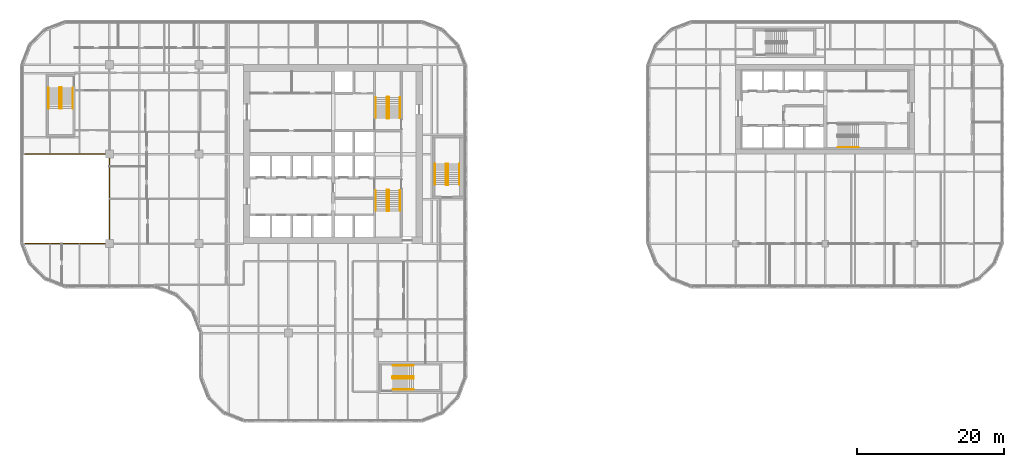
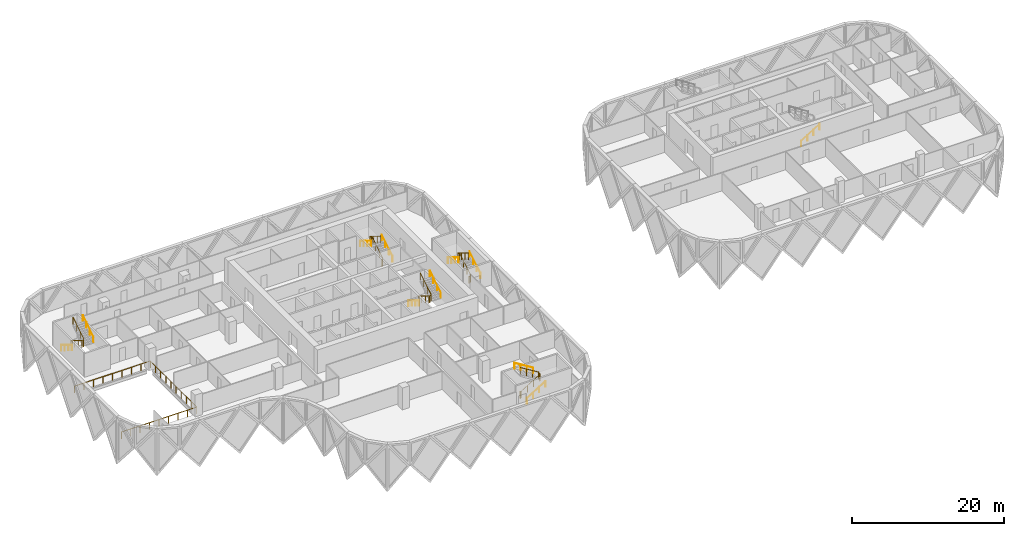
# One storey, part 23 of 24: 17 railings.
"""IFC4 building model written with IfcOpenShell, lengths in metres."""

from ifc_helpers import new_model, si_unit, direction, frame, origin, origin_2d, place, context, subcontext, project, spatial, circle, extrude, material, type_object, element, save


model = new_model("IFC4")

# Units and contexts
model_context = context("Model", 3, precision=1e-05, world=origin(), true_north=direction((0.0, 1.0)))
body_context = subcontext(model_context, "Body", "Model", "MODEL_VIEW")
ifc_project = project(units=[si_unit("LENGTHUNIT", "METRE"), si_unit("AREAUNIT", "SQUARE_METRE"), si_unit("VOLUMEUNIT", "CUBIC_METRE"), si_unit("PLANEANGLEUNIT", "RADIAN"), si_unit("MASSUNIT", "GRAM", prefix="KILO")], contexts=[model_context])

# Site, building, storey
site_placement = place(None, origin())
site = spatial("IfcSite", under=ifc_project, at=site_placement, CompositionType="ELEMENT")
building_placement = place(site_placement, origin())
building = spatial("IfcBuilding", under=site, at=building_placement, Name="Tessera Gate Towers", CompositionType="ELEMENT")
storey_placement = place(building_placement, frame((0.0, 0.0, 60.0)))
storey = spatial("IfcBuildingStorey", under=building, at=storey_placement, Name="L14", CompositionType="ELEMENT", Elevation=60.0)

# Railings
ifc_material_1 = material(Name="Toughened glass with stainless steel handrail", Category="steel")
railing_type_1 = type_object("IfcRailingType", Name="GUARD 1100 GLASS BALUSTRADE", PredefinedType="GUARDRAIL", material=ifc_material_1)
railing_1_placement = place(storey_placement, frame((0.750244140625, 24.39990234375, 0.0)))
element("IfcRailing", 1, at=railing_1_placement, inside=storey, type_object=railing_type_1, Name="Guard", PredefinedType="GUARDRAIL", context=body_context, shape_type="SweptSolid", body=[
    extrude(circle(Radius=0.02490234375, at=origin_2d()), frame((0.0, 0.0, 1.0751953125), z_axis=(1.0, 0.0, 0.0), x_axis=(0.0, 1.0, 0.0)), (0.0, 0.0, 1.0), 11.44970703125),
    extrude(circle(Radius=0.02490234375, at=origin_2d()), frame((11.44970703125, 0.0, 1.0751953125), z_axis=(0.0, 1.0, 0.0), x_axis=(-1.0, 0.0, 0.0)), (0.0, 0.0, 1.0), 12.2001953125),
    extrude(circle(Radius=0.02490234375, at=origin_2d()), frame((11.44970703125, 12.2001953125, 1.0751953125), z_axis=(-1.0, 0.0, 0.0), x_axis=(0.0, -1.0, 0.0)), (0.0, 0.0, 1.0), 11.5),
    extrude(circle(Radius=0.02490234375, at=origin_2d()), origin(), (0.0, 0.0, 1.0), 1.050048828125),
    extrude(circle(Radius=0.02490234375, at=origin_2d()), frame((1.43115234375, 0.0, 0.0)), (0.0, 0.0, 1.0), 1.050048828125),
    extrude(circle(Radius=0.02490234375, at=origin_2d()), frame((2.8623046875, 0.0, 0.0)), (0.0, 0.0, 1.0), 1.050048828125),
    extrude(circle(Radius=0.02490234375, at=origin_2d()), frame((4.293701171875, 0.0, 0.0)), (0.0, 0.0, 1.0), 1.050048828125),
    extrude(circle(Radius=0.02490234375, at=origin_2d()), frame((5.724853515625, 0.0, 0.0)), (0.0, 0.0, 1.0), 1.050048828125),
    extrude(circle(Radius=0.02490234375, at=origin_2d()), frame((7.156005859375, 0.0, 0.0)), (0.0, 0.0, 1.0), 1.050048828125),
    extrude(circle(Radius=0.02490234375, at=origin_2d()), frame((8.58740234375, 0.0, 0.0)), (0.0, 0.0, 1.0), 1.050048828125),
    extrude(circle(Radius=0.02490234375, at=origin_2d()), frame((10.0185546875, 0.0, 0.0)), (0.0, 0.0, 1.0), 1.050048828125),
    extrude(circle(Radius=0.02490234375, at=origin_2d()), frame((11.44970703125, 0.0, 0.0)), (0.0, 0.0, 1.0), 1.050048828125),
    extrude(circle(Radius=0.02490234375, at=origin_2d()), frame((11.44970703125, 1.35546875, 0.0)), (0.0, 0.0, 1.0), 1.050048828125),
    extrude(circle(Radius=0.02490234375, at=origin_2d()), frame((11.44970703125, 2.711181640625, 0.0)), (0.0, 0.0, 1.0), 1.050048828125),
    extrude(circle(Radius=0.02490234375, at=origin_2d()), frame((11.44970703125, 4.066650390625, 0.0)), (0.0, 0.0, 1.0), 1.050048828125),
    extrude(circle(Radius=0.02490234375, at=origin_2d()), frame((11.44970703125, 5.42236328125, 0.0)), (0.0, 0.0, 1.0), 1.050048828125),
    extrude(circle(Radius=0.02490234375, at=origin_2d()), frame((11.44970703125, 6.77783203125, 0.0)), (0.0, 0.0, 1.0), 1.050048828125),
    extrude(circle(Radius=0.02490234375, at=origin_2d()), frame((11.44970703125, 8.133544921875, 0.0)), (0.0, 0.0, 1.0), 1.050048828125),
    extrude(circle(Radius=0.02490234375, at=origin_2d()), frame((11.44970703125, 9.489013671875, 0.0)), (0.0, 0.0, 1.0), 1.050048828125),
    extrude(circle(Radius=0.02490234375, at=origin_2d()), frame((11.44970703125, 10.8447265625, 0.0)), (0.0, 0.0, 1.0), 1.050048828125),
    extrude(circle(Radius=0.02490234375, at=origin_2d()), frame((11.44970703125, 12.2001953125, 0.0)), (0.0, 0.0, 1.0), 1.050048828125),
    extrude(circle(Radius=0.02490234375, at=origin_2d()), frame((10.01220703125, 12.2001953125, 0.0)), (0.0, 0.0, 1.0), 1.050048828125),
    extrude(circle(Radius=0.02490234375, at=origin_2d()), frame((8.57470703125, 12.2001953125, 0.0)), (0.0, 0.0, 1.0), 1.050048828125),
    extrude(circle(Radius=0.02490234375, at=origin_2d()), frame((7.13720703125, 12.2001953125, 0.0)), (0.0, 0.0, 1.0), 1.050048828125),
    extrude(circle(Radius=0.02490234375, at=origin_2d()), frame((5.69970703125, 12.2001953125, 0.0)), (0.0, 0.0, 1.0), 1.050048828125),
    extrude(circle(Radius=0.02490234375, at=origin_2d()), frame((4.26220703125, 12.2001953125, 0.0)), (0.0, 0.0, 1.0), 1.050048828125),
    extrude(circle(Radius=0.02490234375, at=origin_2d()), frame((2.82470703125, 12.2001953125, 0.0)), (0.0, 0.0, 1.0), 1.050048828125),
    extrude(circle(Radius=0.02490234375, at=origin_2d()), frame((1.38720703125, 12.2001953125, 0.0)), (0.0, 0.0, 1.0), 1.050048828125),
    extrude(circle(Radius=0.02490234375, at=origin_2d()), frame((-0.05029296875, 12.2001953125, 0.0)), (0.0, 0.0, 1.0), 1.050048828125),
])
ifc_material_2 = material(Name="Steel 350W", Category="steel")
railing_type_2 = type_object("IfcRailingType", Name="STAIR GUARD 1100", PredefinedType="GUARDRAIL", material=ifc_material_2)
railing_2_placement = place(storey_placement, frame((50.27490234375, 31.72509765625, 0.0)))
element("IfcRailing", 2, at=railing_2_placement, inside=storey, type_object=railing_type_2, Name="L14 ST1 stair guard 1", PredefinedType="GUARDRAIL", context=body_context, shape_type="SweptSolid", body=[
    extrude(circle(Radius=0.02392578125, at=origin_2d()), frame((0.0, 0.0, 1.076171875), z_axis=(-1.0, 0.0, 0.0), x_axis=(0.0, -1.0, 0.0)), (0.0, 0.0, 1.0), 0.199951171875),
    extrude(circle(Radius=0.02392578125, at=origin_2d()), frame((-0.199951171875, 0.0, 1.076171875), z_axis=(-0.268277960024, -0.268277960024, 0.925231793839), x_axis=(0.707106781187, -0.707106781187, 0.0)), (0.0, 0.0, 1.0), 0.1865234375),
    extrude(circle(Radius=0.02392578125, at=origin_2d()), frame((-0.25, -0.050048828125, 1.24853515625), z_axis=(0.0, -0.851089632645, 0.525020415988), x_axis=(1.0, 0.0, 0.0)), (0.0, 0.0, 1.0), 3.2900390625),
    extrude(circle(Radius=0.02392578125, at=origin_2d()), frame((-0.25, -2.85009765625, 2.97607421875), z_axis=(0.707106781187, -0.707106781187, 0.0), x_axis=(0.707106781187, 0.707106781187, 0.0)), (0.0, 0.0, 1.0), 0.07080078125),
    extrude(circle(Radius=0.02392578125, at=origin_2d()), frame((-0.199951171875, -2.900146484375, 2.97607421875), z_axis=(1.0, 0.0, 0.0), x_axis=(0.0, 1.0, 0.0)), (0.0, 0.0, 1.0), 0.199951171875),
    extrude(circle(Radius=0.02392578125, at=origin_2d()), frame((0.0, -2.900146484375, 2.97607421875), z_axis=(0.267953482034, 0.267953482034, 0.925419830635), x_axis=(-0.707106781187, 0.707106781187, 0.0)), (0.0, 0.0, 1.0), 0.186767578125),
    extrude(circle(Radius=0.02392578125, at=origin_2d()), frame((0.050048828125, -2.85009765625, 3.14892578125), z_axis=(0.0, 0.851089632645, 0.525020415988), x_axis=(-1.0, 0.0, 0.0)), (0.0, 0.0, 1.0), 3.2900390625),
    extrude(circle(Radius=0.02099609375, at=origin_2d()), origin(), (0.0, 0.0, 1.0), 1.052001953125),
    extrude(circle(Radius=0.02099609375, at=origin_2d()), frame((-0.199951171875, 0.0, 0.0)), (0.0, 0.0, 1.0), 1.052001953125),
    extrude(circle(Radius=0.02099609375, at=origin_2d()), frame((-0.25, -0.050048828125, 0.172607421875)), (0.0, 0.0, 1.0), 1.052001953125),
    extrude(circle(Radius=0.02099609375, at=origin_2d()), frame((-0.25, -0.9833984375, 0.748291015625)), (0.0, 0.0, 1.0), 1.052001953125),
    extrude(circle(Radius=0.02099609375, at=origin_2d()), frame((-0.25, -1.916748046875, 1.32421875)), (0.0, 0.0, 1.0), 1.052001953125),
    extrude(circle(Radius=0.02099609375, at=origin_2d()), frame((-0.25, -2.85009765625, 1.89990234375)), (0.0, 0.0, 1.0), 1.052001953125),
    extrude(circle(Radius=0.02099609375, at=origin_2d()), frame((-0.199951171875, -2.900146484375, 1.89990234375)), (0.0, 0.0, 1.0), 1.052001953125),
    extrude(circle(Radius=0.02099609375, at=origin_2d()), frame((0.0, -2.900146484375, 1.89990234375)), (0.0, 0.0, 1.0), 1.052001953125),
    extrude(circle(Radius=0.02099609375, at=origin_2d()), frame((0.050048828125, -2.85009765625, 2.07275390625)), (0.0, 0.0, 1.0), 1.052001953125),
    extrude(circle(Radius=0.02099609375, at=origin_2d()), frame((0.050048828125, -1.916748046875, 2.6484375)), (0.0, 0.0, 1.0), 1.052001953125),
    extrude(circle(Radius=0.02099609375, at=origin_2d()), frame((0.050048828125, -0.9833984375, 3.224365234375)), (0.0, 0.0, 1.0), 1.052001953125),
    extrude(circle(Radius=0.02099609375, at=origin_2d()), frame((0.050048828125, -0.050048828125, 3.800048828125)), (0.0, 0.0, 1.0), 1.052001953125),
])
railing_3_placement = place(storey_placement, frame((50.074951171875, 41.47509765625, 0.0)))
element("IfcRailing", 3, at=railing_3_placement, inside=storey, type_object=railing_type_2, Name="L14 ST2 stair guard 1", PredefinedType="GUARDRAIL", context=body_context, shape_type="SweptSolid", body=[
    extrude(circle(Radius=0.02392578125, at=origin_2d()), frame((0.0, 0.0, 1.076171875), z_axis=(1.0, 0.0, 0.0), x_axis=(0.0, 1.0, 0.0)), (0.0, 0.0, 1.0), 0.199951171875),
    extrude(circle(Radius=0.02392578125, at=origin_2d()), frame((0.199951171875, 0.0, 1.076171875), z_axis=(0.268371968888, 0.267062837333, 0.925556009775), x_axis=(-0.705375805398, 0.708833529934, 0.0)), (0.0, 0.0, 1.0), 0.1865234375),
    extrude(circle(Radius=0.02392578125, at=origin_2d()), frame((0.25, 0.0498046875, 1.24853515625), z_axis=(0.0, 0.851089632645, 0.525020415988), x_axis=(-1.0, 0.0, 0.0)), (0.0, 0.0, 1.0), 3.2900390625),
    extrude(circle(Radius=0.02392578125, at=origin_2d()), frame((0.25, 2.849853515625, 2.97607421875), z_axis=(-0.707106781187, 0.707106781187, 0.0), x_axis=(-0.707106781187, -0.707106781187, 0.0)), (0.0, 0.0, 1.0), 0.07080078125),
    extrude(circle(Radius=0.02392578125, at=origin_2d()), frame((0.199951171875, 2.89990234375, 2.97607421875), z_axis=(-1.0, 0.0, 0.0), x_axis=(0.0, -1.0, 0.0)), (0.0, 0.0, 1.0), 0.199951171875),
    extrude(circle(Radius=0.02392578125, at=origin_2d()), frame((0.0, 2.89990234375, 2.97607421875), z_axis=(-0.267953482034, -0.267953482034, 0.925419830635), x_axis=(0.707106781187, -0.707106781187, 0.0)), (0.0, 0.0, 1.0), 0.186767578125),
    extrude(circle(Radius=0.02392578125, at=origin_2d()), frame((-0.050048828125, 2.849853515625, 3.14892578125), z_axis=(0.0, -0.851089632645, 0.525020415988), x_axis=(1.0, 0.0, 0.0)), (0.0, 0.0, 1.0), 3.2900390625),
    extrude(circle(Radius=0.02099609375, at=origin_2d()), origin(), (0.0, 0.0, 1.0), 1.052001953125),
    extrude(circle(Radius=0.02099609375, at=origin_2d()), frame((0.199951171875, 0.0, 0.0)), (0.0, 0.0, 1.0), 1.052001953125),
    extrude(circle(Radius=0.02099609375, at=origin_2d()), frame((0.25, 0.0498046875, 0.172607421875)), (0.0, 0.0, 1.0), 1.052001953125),
    extrude(circle(Radius=0.02099609375, at=origin_2d()), frame((0.25, 0.983154296875, 0.748291015625)), (0.0, 0.0, 1.0), 1.052001953125),
    extrude(circle(Radius=0.02099609375, at=origin_2d()), frame((0.25, 1.91650390625, 1.32421875)), (0.0, 0.0, 1.0), 1.052001953125),
    extrude(circle(Radius=0.02099609375, at=origin_2d()), frame((0.25, 2.849853515625, 1.89990234375)), (0.0, 0.0, 1.0), 1.052001953125),
    extrude(circle(Radius=0.02099609375, at=origin_2d()), frame((0.199951171875, 2.89990234375, 1.89990234375)), (0.0, 0.0, 1.0), 1.052001953125),
    extrude(circle(Radius=0.02099609375, at=origin_2d()), frame((0.0, 2.89990234375, 1.89990234375)), (0.0, 0.0, 1.0), 1.052001953125),
    extrude(circle(Radius=0.02099609375, at=origin_2d()), frame((-0.050048828125, 2.849853515625, 2.07275390625)), (0.0, 0.0, 1.0), 1.052001953125),
    extrude(circle(Radius=0.02099609375, at=origin_2d()), frame((-0.050048828125, 1.91650390625, 2.6484375)), (0.0, 0.0, 1.0), 1.052001953125),
    extrude(circle(Radius=0.02099609375, at=origin_2d()), frame((-0.050048828125, 0.983154296875, 3.224365234375)), (0.0, 0.0, 1.0), 1.052001953125),
    extrude(circle(Radius=0.02099609375, at=origin_2d()), frame((-0.050048828125, 0.0498046875, 3.800048828125)), (0.0, 0.0, 1.0), 1.052001953125),
])
railing_4_placement = place(storey_placement, frame((5.64990234375, 45.699951171875, 0.0)))
element("IfcRailing", 4, at=railing_4_placement, inside=storey, type_object=railing_type_2, Name="L14 ST3 stair guard 1", PredefinedType="GUARDRAIL", context=body_context, shape_type="SweptSolid", body=[
    extrude(circle(Radius=0.02392578125, at=origin_2d()), frame((0.0, 0.0, 1.076171875), z_axis=(-1.0, 0.0, 0.0), x_axis=(0.0, -1.0, 0.0)), (0.0, 0.0, 1.0), 0.199951171875),
    extrude(circle(Radius=0.02392578125, at=origin_2d()), frame((-0.199951171875, 0.0, 1.076171875), z_axis=(-0.268277960024, -0.268277960024, 0.925231793839), x_axis=(0.707106781187, -0.707106781187, 0.0)), (0.0, 0.0, 1.0), 0.1865234375),
    extrude(circle(Radius=0.02392578125, at=origin_2d()), frame((-0.25, -0.050048828125, 1.24853515625), z_axis=(0.0, -0.851069175582, 0.525053576669), x_axis=(1.0, 0.0, 0.0)), (0.0, 0.0, 1.0), 3.289794921875),
    extrude(circle(Radius=0.02392578125, at=origin_2d()), frame((-0.25, -2.849853515625, 2.97607421875), z_axis=(0.707106781187, -0.707106781187, 0.0), x_axis=(0.707106781187, 0.707106781187, 0.0)), (0.0, 0.0, 1.0), 0.07080078125),
    extrude(circle(Radius=0.02392578125, at=origin_2d()), frame((-0.199951171875, -2.89990234375, 2.97607421875), z_axis=(1.0, 0.0, 0.0), x_axis=(0.0, 1.0, 0.0)), (0.0, 0.0, 1.0), 0.199951171875),
    extrude(circle(Radius=0.02392578125, at=origin_2d()), frame((0.0, -2.89990234375, 2.97607421875), z_axis=(0.267953482034, 0.267953482034, 0.925419830635), x_axis=(-0.707106781187, 0.707106781187, 0.0)), (0.0, 0.0, 1.0), 0.186767578125),
    extrude(circle(Radius=0.02392578125, at=origin_2d()), frame((0.050048828125, -2.849853515625, 3.14892578125), z_axis=(0.0, 0.851069175582, 0.525053576669), x_axis=(-1.0, 0.0, 0.0)), (0.0, 0.0, 1.0), 3.289794921875),
    extrude(circle(Radius=0.02099609375, at=origin_2d()), origin(), (0.0, 0.0, 1.0), 1.052001953125),
    extrude(circle(Radius=0.02099609375, at=origin_2d()), frame((-0.199951171875, 0.0, 0.0)), (0.0, 0.0, 1.0), 1.052001953125),
    extrude(circle(Radius=0.02099609375, at=origin_2d()), frame((-0.25, -0.050048828125, 0.172607421875)), (0.0, 0.0, 1.0), 1.052001953125),
    extrude(circle(Radius=0.02099609375, at=origin_2d()), frame((-0.25, -0.9833984375, 0.748291015625)), (0.0, 0.0, 1.0), 1.052001953125),
    extrude(circle(Radius=0.02099609375, at=origin_2d()), frame((-0.25, -1.91650390625, 1.32421875)), (0.0, 0.0, 1.0), 1.052001953125),
    extrude(circle(Radius=0.02099609375, at=origin_2d()), frame((-0.25, -2.849853515625, 1.89990234375)), (0.0, 0.0, 1.0), 1.052001953125),
    extrude(circle(Radius=0.02099609375, at=origin_2d()), frame((-0.199951171875, -2.89990234375, 1.89990234375)), (0.0, 0.0, 1.0), 1.052001953125),
    extrude(circle(Radius=0.02099609375, at=origin_2d()), frame((0.0, -2.89990234375, 1.89990234375)), (0.0, 0.0, 1.0), 1.052001953125),
    extrude(circle(Radius=0.02099609375, at=origin_2d()), frame((0.050048828125, -2.849853515625, 2.07275390625)), (0.0, 0.0, 1.0), 1.052001953125),
    extrude(circle(Radius=0.02099609375, at=origin_2d()), frame((0.050048828125, -1.91650390625, 2.6484375)), (0.0, 0.0, 1.0), 1.052001953125),
    extrude(circle(Radius=0.02099609375, at=origin_2d()), frame((0.050048828125, -0.9833984375, 3.224365234375)), (0.0, 0.0, 1.0), 1.052001953125),
    extrude(circle(Radius=0.02099609375, at=origin_2d()), frame((0.050048828125, -0.050048828125, 3.800048828125)), (0.0, 0.0, 1.0), 1.052001953125),
])
railing_5_placement = place(storey_placement, frame((50.800048828125, 6.25, 0.0)))
element("IfcRailing", 5, at=railing_5_placement, inside=storey, type_object=railing_type_2, Name="L14 ST4 stair guard 1", PredefinedType="GUARDRAIL", context=body_context, shape_type="SweptSolid", body=[
    extrude(circle(Radius=0.02392578125, at=origin_2d()), frame((0.0, 0.0, 1.076171875), z_axis=(0.0, -1.0, 0.0), x_axis=(1.0, 0.0, 0.0)), (0.0, 0.0, 1.0), 0.199951171875),
    extrude(circle(Radius=0.02392578125, at=origin_2d()), frame((0.0, -0.199951171875, 1.076171875), z_axis=(0.268277960024, -0.268277960024, 0.925231793839), x_axis=(0.707106781187, 0.707106781187, 0.0)), (0.0, 0.0, 1.0), 0.1865234375),
    extrude(circle(Radius=0.02392578125, at=origin_2d()), frame((0.050048828125, -0.25, 1.24853515625), z_axis=(0.851069175582, 0.0, 0.525053576669), x_axis=(0.0, 1.0, 0.0)), (0.0, 0.0, 1.0), 3.289794921875),
    extrude(circle(Radius=0.02392578125, at=origin_2d()), frame((2.849853515625, -0.25, 2.97607421875), z_axis=(0.707106781187, 0.707106781187, 0.0), x_axis=(-0.707106781187, 0.707106781187, 0.0)), (0.0, 0.0, 1.0), 0.07080078125),
    extrude(circle(Radius=0.02392578125, at=origin_2d()), frame((2.89990234375, -0.199951171875, 2.97607421875), z_axis=(0.0, 1.0, 0.0), x_axis=(-1.0, 0.0, 0.0)), (0.0, 0.0, 1.0), 0.199951171875),
    extrude(circle(Radius=0.02392578125, at=origin_2d()), frame((2.89990234375, 0.0, 2.97607421875), z_axis=(-0.267953482034, 0.267953482034, 0.925419830635), x_axis=(-0.707106781187, -0.707106781187, 0.0)), (0.0, 0.0, 1.0), 0.186767578125),
    extrude(circle(Radius=0.02392578125, at=origin_2d()), frame((2.849853515625, 0.050048828125, 3.14892578125), z_axis=(-0.851069175582, 0.0, 0.525053576669), x_axis=(0.0, -1.0, 0.0)), (0.0, 0.0, 1.0), 3.289794921875),
    extrude(circle(Radius=0.02099609375, at=origin_2d()), origin(), (0.0, 0.0, 1.0), 1.052001953125),
    extrude(circle(Radius=0.02099609375, at=origin_2d()), frame((0.0, -0.199951171875, 0.0)), (0.0, 0.0, 1.0), 1.052001953125),
    extrude(circle(Radius=0.02099609375, at=origin_2d()), frame((0.050048828125, -0.25, 0.172607421875)), (0.0, 0.0, 1.0), 1.052001953125),
    extrude(circle(Radius=0.02099609375, at=origin_2d()), frame((0.9833984375, -0.25, 0.748291015625)), (0.0, 0.0, 1.0), 1.052001953125),
    extrude(circle(Radius=0.02099609375, at=origin_2d()), frame((1.91650390625, -0.25, 1.32421875)), (0.0, 0.0, 1.0), 1.052001953125),
    extrude(circle(Radius=0.02099609375, at=origin_2d()), frame((2.849853515625, -0.25, 1.89990234375)), (0.0, 0.0, 1.0), 1.052001953125),
    extrude(circle(Radius=0.02099609375, at=origin_2d()), frame((2.89990234375, -0.199951171875, 1.89990234375)), (0.0, 0.0, 1.0), 1.052001953125),
    extrude(circle(Radius=0.02099609375, at=origin_2d()), frame((2.89990234375, 0.0, 1.89990234375)), (0.0, 0.0, 1.0), 1.052001953125),
    extrude(circle(Radius=0.02099609375, at=origin_2d()), frame((2.849853515625, 0.050048828125, 2.07275390625)), (0.0, 0.0, 1.0), 1.052001953125),
    extrude(circle(Radius=0.02099609375, at=origin_2d()), frame((1.91650390625, 0.050048828125, 2.6484375)), (0.0, 0.0, 1.0), 1.052001953125),
    extrude(circle(Radius=0.02099609375, at=origin_2d()), frame((0.9833984375, 0.050048828125, 3.224365234375)), (0.0, 0.0, 1.0), 1.052001953125),
    extrude(circle(Radius=0.02099609375, at=origin_2d()), frame((0.050048828125, 0.050048828125, 3.800048828125)), (0.0, 0.0, 1.0), 1.052001953125),
])
railing_6_placement = place(storey_placement, frame((58.14990234375, 32.39990234375, 0.0)))
element("IfcRailing", 6, at=railing_6_placement, inside=storey, type_object=railing_type_2, Name="L14 ST5 stair guard 1", PredefinedType="GUARDRAIL", context=body_context, shape_type="SweptSolid", body=[
    extrude(circle(Radius=0.02392578125, at=origin_2d()), frame((0.0, 0.0, 1.076171875), z_axis=(1.0, 0.0, 0.0), x_axis=(0.0, 1.0, 0.0)), (0.0, 0.0, 1.0), 0.2001953125),
    extrude(circle(Radius=0.02392578125, at=origin_2d()), frame((0.2001953125, 0.0, 1.076171875), z_axis=(0.267062837333, 0.268371968888, 0.925556009775), x_axis=(-0.708833529934, 0.705375805398, 0.0)), (0.0, 0.0, 1.0), 0.1865234375),
    extrude(circle(Radius=0.02392578125, at=origin_2d()), frame((0.25, 0.050048828125, 1.24853515625), z_axis=(0.0, 0.851089632645, 0.525020415988), x_axis=(-1.0, 0.0, 0.0)), (0.0, 0.0, 1.0), 3.2900390625),
    extrude(circle(Radius=0.02392578125, at=origin_2d()), frame((0.25, 2.85009765625, 2.97607421875), z_axis=(-0.705375805398, 0.708833529934, 0.0), x_axis=(-0.708833529934, -0.705375805398, 0.0)), (0.0, 0.0, 1.0), 0.070556640625),
    extrude(circle(Radius=0.02392578125, at=origin_2d()), frame((0.2001953125, 2.900146484375, 2.97607421875), z_axis=(-1.0, 0.0, 0.0), x_axis=(0.0, -1.0, 0.0)), (0.0, 0.0, 1.0), 0.2001953125),
    extrude(circle(Radius=0.02392578125, at=origin_2d()), frame((0.0, 2.900146484375, 2.97607421875), z_axis=(-0.266739603011, -0.268047150085, 0.925743328097), x_axis=(0.708833529934, -0.705375805398, 0.0)), (0.0, 0.0, 1.0), 0.186767578125),
    extrude(circle(Radius=0.02392578125, at=origin_2d()), frame((-0.0498046875, 2.85009765625, 3.14892578125), z_axis=(0.0, -0.851089632645, 0.525020415988), x_axis=(1.0, 0.0, 0.0)), (0.0, 0.0, 1.0), 3.2900390625),
    extrude(circle(Radius=0.02099609375, at=origin_2d()), origin(), (0.0, 0.0, 1.0), 1.052001953125),
    extrude(circle(Radius=0.02099609375, at=origin_2d()), frame((0.2001953125, 0.0, 0.0)), (0.0, 0.0, 1.0), 1.052001953125),
    extrude(circle(Radius=0.02099609375, at=origin_2d()), frame((0.25, 0.050048828125, 0.172607421875)), (0.0, 0.0, 1.0), 1.052001953125),
    extrude(circle(Radius=0.02099609375, at=origin_2d()), frame((0.25, 0.9833984375, 0.748291015625)), (0.0, 0.0, 1.0), 1.052001953125),
    extrude(circle(Radius=0.02099609375, at=origin_2d()), frame((0.25, 1.916748046875, 1.32421875)), (0.0, 0.0, 1.0), 1.052001953125),
    extrude(circle(Radius=0.02099609375, at=origin_2d()), frame((0.25, 2.85009765625, 1.89990234375)), (0.0, 0.0, 1.0), 1.052001953125),
    extrude(circle(Radius=0.02099609375, at=origin_2d()), frame((0.2001953125, 2.900146484375, 1.89990234375)), (0.0, 0.0, 1.0), 1.052001953125),
    extrude(circle(Radius=0.02099609375, at=origin_2d()), frame((0.0, 2.900146484375, 1.89990234375)), (0.0, 0.0, 1.0), 1.052001953125),
    extrude(circle(Radius=0.02099609375, at=origin_2d()), frame((-0.0498046875, 2.85009765625, 2.07275390625)), (0.0, 0.0, 1.0), 1.052001953125),
    extrude(circle(Radius=0.02099609375, at=origin_2d()), frame((-0.0498046875, 1.916748046875, 2.6484375)), (0.0, 0.0, 1.0), 1.052001953125),
    extrude(circle(Radius=0.02099609375, at=origin_2d()), frame((-0.0498046875, 0.9833984375, 3.224365234375)), (0.0, 0.0, 1.0), 1.052001953125),
    extrude(circle(Radius=0.02099609375, at=origin_2d()), frame((-0.0498046875, 0.050048828125, 3.800048828125)), (0.0, 0.0, 1.0), 1.052001953125),
])
ifc_material_3 = material(Name="Steel 350W", Category="steel")
railing_type_3 = type_object("IfcRailingType", Name="STAIR HANDRAIL 900", PredefinedType="HANDRAIL", material=ifc_material_3)
railing_7_placement = place(storey_placement, frame((48.52490234375, 31.675048828125, 0.172607421875)))
element("IfcRailing", 7, at=railing_7_placement, inside=storey, type_object=railing_type_3, Name="L14 ST1 stair handrail 1", PredefinedType="HANDRAIL", context=body_context, shape_type="SweptSolid", body=[
    extrude(circle(Radius=0.02392578125, at=origin_2d()), frame((0.0, 0.0, 0.8759765625), z_axis=(0.0, -0.851089632645, 0.525020415988), x_axis=(1.0, 0.0, 0.0)), (0.0, 0.0, 1.0), 3.2900390625),
    extrude(circle(Radius=0.02099609375, at=origin_2d()), origin(), (0.0, 0.0, 1.0), 0.851806640625),
    extrude(circle(Radius=0.02099609375, at=origin_2d()), frame((0.0, -0.933349609375, 0.57568359375)), (0.0, 0.0, 1.0), 0.851806640625),
    extrude(circle(Radius=0.02099609375, at=origin_2d()), frame((0.0, -1.86669921875, 1.151611328125)), (0.0, 0.0, 1.0), 0.851806640625),
    extrude(circle(Radius=0.02099609375, at=origin_2d()), frame((0.0, -2.800048828125, 1.727294921875)), (0.0, 0.0, 1.0), 0.851806640625),
])
for number, where, name in (
    (8, (51.824951171875, 28.875, 2.07275390625), "L14 ST1 stair handrail 2"),
    (9, (51.824951171875, 41.52490234375, 0.172607421875), "L14 ST2 stair handrail 1"),
):
    element("IfcRailing", number, at=place(storey_placement, frame(where)), inside=storey, type_object=railing_type_3, Name=name, PredefinedType="HANDRAIL", context=body_context, shape_type="SweptSolid", body=[
        extrude(circle(Radius=0.02392578125, at=origin_2d()), frame((0.0, 0.0, 0.8759765625), z_axis=(0.0, 0.851089632645, 0.525020415988), x_axis=(-1.0, 0.0, 0.0)), (0.0, 0.0, 1.0), 3.2900390625),
        extrude(circle(Radius=0.02099609375, at=origin_2d()), origin(), (0.0, 0.0, 1.0), 0.851806640625),
        extrude(circle(Radius=0.02099609375, at=origin_2d()), frame((0.0, 0.933349609375, 0.57568359375)), (0.0, 0.0, 1.0), 0.851806640625),
        extrude(circle(Radius=0.02099609375, at=origin_2d()), frame((0.0, 1.86669921875, 1.151611328125)), (0.0, 0.0, 1.0), 0.851806640625),
        extrude(circle(Radius=0.02099609375, at=origin_2d()), frame((0.0, 2.800048828125, 1.727294921875)), (0.0, 0.0, 1.0), 0.851806640625),
    ])
railing_8_placement = place(storey_placement, frame((48.52490234375, 44.324951171875, 2.07275390625)))
element("IfcRailing", 10, at=railing_8_placement, inside=storey, type_object=railing_type_3, Name="L14 ST2 stair handrail 2", PredefinedType="HANDRAIL", context=body_context, shape_type="SweptSolid", body=[
    extrude(circle(Radius=0.02392578125, at=origin_2d()), frame((0.0, 0.0, 0.8759765625), z_axis=(0.0, -0.851089632645, 0.525020415988), x_axis=(1.0, 0.0, 0.0)), (0.0, 0.0, 1.0), 3.2900390625),
    extrude(circle(Radius=0.02099609375, at=origin_2d()), origin(), (0.0, 0.0, 1.0), 0.851806640625),
    extrude(circle(Radius=0.02099609375, at=origin_2d()), frame((0.0, -0.933349609375, 0.57568359375)), (0.0, 0.0, 1.0), 0.851806640625),
    extrude(circle(Radius=0.02099609375, at=origin_2d()), frame((0.0, -1.86669921875, 1.151611328125)), (0.0, 0.0, 1.0), 0.851806640625),
    extrude(circle(Radius=0.02099609375, at=origin_2d()), frame((0.0, -2.800048828125, 1.727294921875)), (0.0, 0.0, 1.0), 0.851806640625),
])
railing_9_placement = place(storey_placement, frame((3.89990234375, 45.64990234375, 0.172607421875)))
element("IfcRailing", 11, at=railing_9_placement, inside=storey, type_object=railing_type_3, Name="L14 ST3 stair handrail 1", PredefinedType="HANDRAIL", context=body_context, shape_type="SweptSolid", body=[
    extrude(circle(Radius=0.02392578125, at=origin_2d()), frame((0.0, 0.0, 0.8759765625), z_axis=(0.0, -0.851069175582, 0.525053576669), x_axis=(1.0, 0.0, 0.0)), (0.0, 0.0, 1.0), 3.289794921875),
    extrude(circle(Radius=0.02099609375, at=origin_2d()), origin(), (0.0, 0.0, 1.0), 0.851806640625),
    extrude(circle(Radius=0.02099609375, at=origin_2d()), frame((0.0, -0.933349609375, 0.57568359375)), (0.0, 0.0, 1.0), 0.851806640625),
    extrude(circle(Radius=0.02099609375, at=origin_2d()), frame((0.0, -1.866455078125, 1.151611328125)), (0.0, 0.0, 1.0), 0.851806640625),
    extrude(circle(Radius=0.02099609375, at=origin_2d()), frame((0.0, -2.7998046875, 1.727294921875)), (0.0, 0.0, 1.0), 0.851806640625),
])
railing_10_placement = place(storey_placement, frame((7.199951171875, 42.85009765625, 2.07275390625)))
element("IfcRailing", 12, at=railing_10_placement, inside=storey, type_object=railing_type_3, Name="L14 ST3 stair handrail 2", PredefinedType="HANDRAIL", context=body_context, shape_type="SweptSolid", body=[
    extrude(circle(Radius=0.02392578125, at=origin_2d()), frame((0.0, 0.0, 0.8759765625), z_axis=(0.0, 0.851069175582, 0.525053576669), x_axis=(-1.0, 0.0, 0.0)), (0.0, 0.0, 1.0), 3.289794921875),
    extrude(circle(Radius=0.02099609375, at=origin_2d()), origin(), (0.0, 0.0, 1.0), 0.851806640625),
    extrude(circle(Radius=0.02099609375, at=origin_2d()), frame((0.0, 0.933349609375, 0.57568359375)), (0.0, 0.0, 1.0), 0.851806640625),
    extrude(circle(Radius=0.02099609375, at=origin_2d()), frame((0.0, 1.866455078125, 1.151611328125)), (0.0, 0.0, 1.0), 0.851806640625),
    extrude(circle(Radius=0.02099609375, at=origin_2d()), frame((0.0, 2.7998046875, 1.727294921875)), (0.0, 0.0, 1.0), 0.851806640625),
])
railing_11_placement = place(storey_placement, frame((50.85009765625, 4.5, 0.172607421875)))
element("IfcRailing", 13, at=railing_11_placement, inside=storey, type_object=railing_type_3, Name="L14 ST4 stair handrail 1", PredefinedType="HANDRAIL", context=body_context, shape_type="SweptSolid", body=[
    extrude(circle(Radius=0.02392578125, at=origin_2d()), frame((0.0, 0.0, 0.8759765625), z_axis=(0.851069175582, 0.0, 0.525053576669), x_axis=(0.0, 1.0, 0.0)), (0.0, 0.0, 1.0), 3.289794921875),
    extrude(circle(Radius=0.02099609375, at=origin_2d()), origin(), (0.0, 0.0, 1.0), 0.851806640625),
    extrude(circle(Radius=0.02099609375, at=origin_2d()), frame((0.933349609375, 0.0, 0.57568359375)), (0.0, 0.0, 1.0), 0.851806640625),
    extrude(circle(Radius=0.02099609375, at=origin_2d()), frame((1.866455078125, 0.0, 1.151611328125)), (0.0, 0.0, 1.0), 0.851806640625),
    extrude(circle(Radius=0.02099609375, at=origin_2d()), frame((2.7998046875, 0.0, 1.727294921875)), (0.0, 0.0, 1.0), 0.851806640625),
])
railing_12_placement = place(storey_placement, frame((53.64990234375, 7.800048828125, 2.07275390625)))
element("IfcRailing", 14, at=railing_12_placement, inside=storey, type_object=railing_type_3, Name="L14 ST4 stair handrail 2", PredefinedType="HANDRAIL", context=body_context, shape_type="SweptSolid", body=[
    extrude(circle(Radius=0.02392578125, at=origin_2d()), frame((0.0, 0.0, 0.8759765625), z_axis=(-0.851069175582, 0.0, 0.525053576669), x_axis=(0.0, -1.0, 0.0)), (0.0, 0.0, 1.0), 3.289794921875),
    extrude(circle(Radius=0.02099609375, at=origin_2d()), origin(), (0.0, 0.0, 1.0), 0.851806640625),
    extrude(circle(Radius=0.02099609375, at=origin_2d()), frame((-0.933349609375, 0.0, 0.57568359375)), (0.0, 0.0, 1.0), 0.851806640625),
    extrude(circle(Radius=0.02099609375, at=origin_2d()), frame((-1.866455078125, 0.0, 1.151611328125)), (0.0, 0.0, 1.0), 0.851806640625),
    extrude(circle(Radius=0.02099609375, at=origin_2d()), frame((-2.7998046875, 0.0, 1.727294921875)), (0.0, 0.0, 1.0), 0.851806640625),
])
railing_13_placement = place(storey_placement, frame((59.89990234375, 32.449951171875, 0.172607421875)))
element("IfcRailing", 15, at=railing_13_placement, inside=storey, type_object=railing_type_3, Name="L14 ST5 stair handrail 1", PredefinedType="HANDRAIL", context=body_context, shape_type="SweptSolid", body=[
    extrude(circle(Radius=0.02392578125, at=origin_2d()), frame((0.0, 0.0, 0.8759765625), z_axis=(0.0, 0.851089632645, 0.525020415988), x_axis=(-1.0, 0.0, 0.0)), (0.0, 0.0, 1.0), 3.2900390625),
    extrude(circle(Radius=0.02099609375, at=origin_2d()), origin(), (0.0, 0.0, 1.0), 0.851806640625),
    extrude(circle(Radius=0.02099609375, at=origin_2d()), frame((0.0, 0.933349609375, 0.57568359375)), (0.0, 0.0, 1.0), 0.851806640625),
    extrude(circle(Radius=0.02099609375, at=origin_2d()), frame((0.0, 1.86669921875, 1.151611328125)), (0.0, 0.0, 1.0), 0.851806640625),
    extrude(circle(Radius=0.02099609375, at=origin_2d()), frame((0.0, 2.800048828125, 1.727294921875)), (0.0, 0.0, 1.0), 0.851806640625),
])
railing_14_placement = place(storey_placement, frame((56.60009765625, 35.25, 2.07275390625)))
element("IfcRailing", 16, at=railing_14_placement, inside=storey, type_object=railing_type_3, Name="L14 ST5 stair handrail 2", PredefinedType="HANDRAIL", context=body_context, shape_type="SweptSolid", body=[
    extrude(circle(Radius=0.02392578125, at=origin_2d()), frame((0.0, 0.0, 0.8759765625), z_axis=(0.0, -0.851089632645, 0.525020415988), x_axis=(1.0, 0.0, 0.0)), (0.0, 0.0, 1.0), 3.2900390625),
    extrude(circle(Radius=0.02099609375, at=origin_2d()), origin(), (0.0, 0.0, 1.0), 0.851806640625),
    extrude(circle(Radius=0.02099609375, at=origin_2d()), frame((0.0, -0.933349609375, 0.57568359375)), (0.0, 0.0, 1.0), 0.851806640625),
    extrude(circle(Radius=0.02099609375, at=origin_2d()), frame((0.0, -1.86669921875, 1.151611328125)), (0.0, 0.0, 1.0), 0.851806640625),
    extrude(circle(Radius=0.02099609375, at=origin_2d()), frame((0.0, -2.800048828125, 1.727294921875)), (0.0, 0.0, 1.0), 0.851806640625),
])
railing_15_placement = place(storey_placement, frame((111.550048828125, 37.550048828125, 0.172607421875)))
element("IfcRailing", 17, at=railing_15_placement, inside=storey, type_object=railing_type_3, Name="L14 ST6 stair handrail 1", PredefinedType="HANDRAIL", context=body_context, shape_type="SweptSolid", body=[
    extrude(circle(Radius=0.02392578125, at=origin_2d()), frame((0.0, 0.0, 0.8759765625), z_axis=(0.851089632645, 0.0, 0.525020415988), x_axis=(0.0, 1.0, 0.0)), (0.0, 0.0, 1.0), 3.2900390625),
    extrude(circle(Radius=0.02099609375, at=origin_2d()), origin(), (0.0, 0.0, 1.0), 0.851806640625),
    extrude(circle(Radius=0.02099609375, at=origin_2d()), frame((0.933349609375, 0.0, 0.57568359375)), (0.0, 0.0, 1.0), 0.851806640625),
    extrude(circle(Radius=0.02099609375, at=origin_2d()), frame((1.86669921875, 0.0, 1.151611328125)), (0.0, 0.0, 1.0), 0.851806640625),
    extrude(circle(Radius=0.02099609375, at=origin_2d()), frame((2.800048828125, 0.0, 1.727294921875)), (0.0, 0.0, 1.0), 0.851806640625),
])

save(model, "model.ifc")
